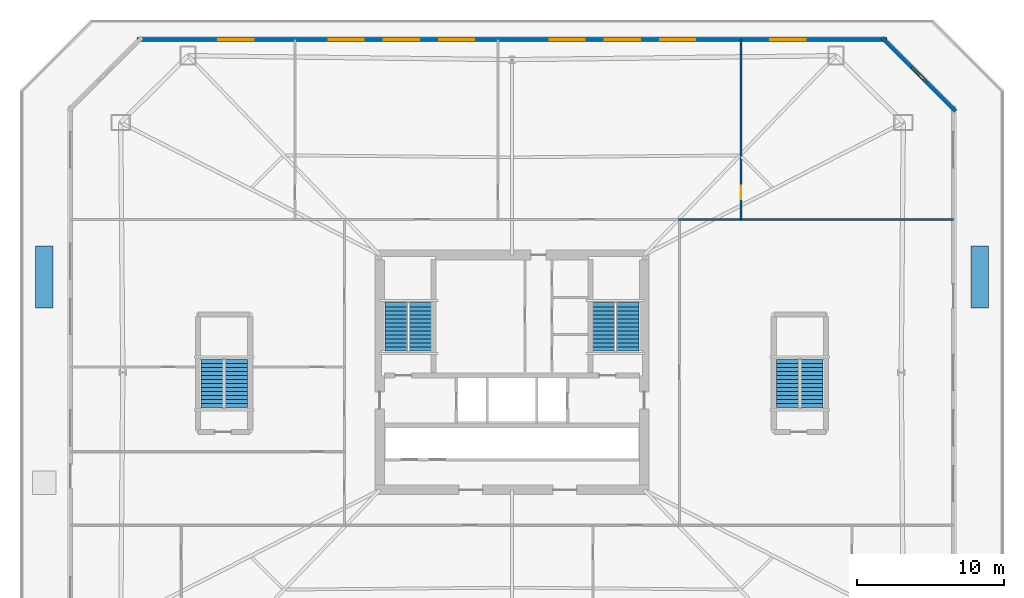
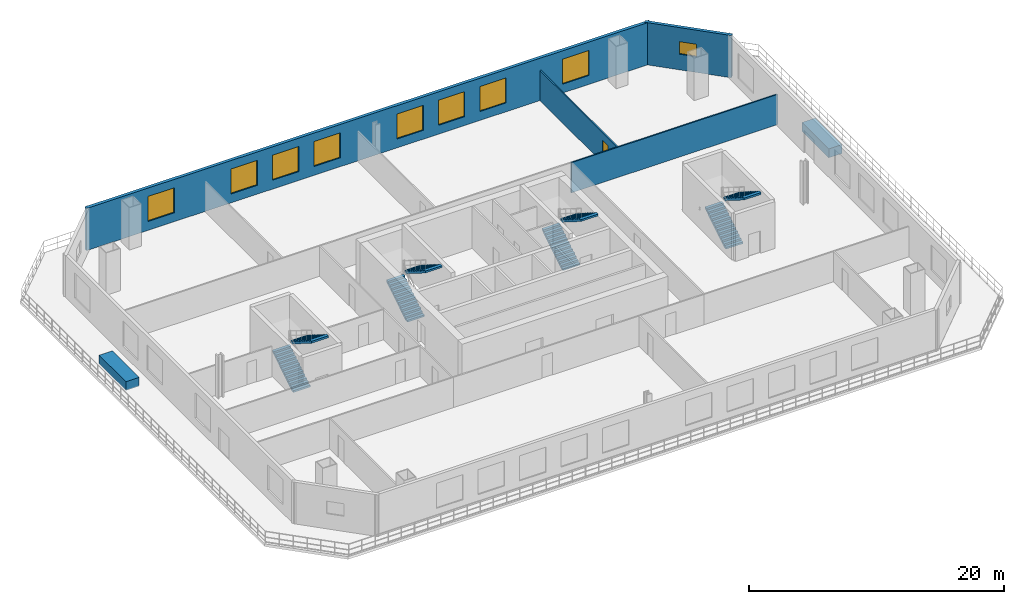
# One storey, part 5 of 8: 9 windows, 8 stair flights, 4 walls, 2 discrete accessories, 1 door, 10 openings, 4 elements without a shape of their own.
"""IFC4 building model written with IfcOpenShell, lengths in metres."""

from ifc_helpers import new_model, si_unit, direction, frame, frame_2d, origin, origin_2d, place, context, subcontext, project, spatial, polyline, rectangle, outline, extrude, material, layer, layer_set, type_object, element, fill, aggregate, save


model = new_model("IFC4")

# Units and contexts
model_context = context("Model", 3, precision=1e-05, world=origin(), true_north=direction((0.0, 1.0)))
body_context = subcontext(model_context, "Body", "Model", "MODEL_VIEW")
ifc_project = project(units=[si_unit("LENGTHUNIT", "METRE"), si_unit("AREAUNIT", "SQUARE_METRE"), si_unit("VOLUMEUNIT", "CUBIC_METRE"), si_unit("PLANEANGLEUNIT", "RADIAN"), si_unit("MASSUNIT", "GRAM", prefix="KILO")], contexts=[model_context])

# Site, building, storey
site_placement = place(None, origin())
site = spatial("IfcSite", under=ifc_project, at=site_placement, CompositionType="ELEMENT")
building_placement = place(site_placement, origin())
building = spatial("IfcBuilding", under=site, at=building_placement, Name="Caelvoria Tower", CompositionType="ELEMENT")
storey_placement = place(building_placement, frame((0.0, 0.0, 18.5)))
storey = spatial("IfcBuildingStorey", under=building, at=storey_placement, Name="L04", CompositionType="ELEMENT", Elevation=18.5)

# Wall, opening, window
ifc_material_1 = material(Name="Precast Concrete C40/50 with Bronze Cladding", Category="concrete")
ifc_layer_1 = layer(ifc_material_1, 0.280029296875, Name="Precast Concrete C40/50 with Bronze Cladding")
ifc_layer_set_1 = layer_set([ifc_layer_1], Name="Exterior Precast Concrete C40/50 Bronze-Clad Facade Wall 280 - Precast Concrete C40/50 with Bronze Cladding")
wall_type_1 = type_object("IfcWallType", Name="Exterior Precast Concrete C40/50 Bronze-Clad Facade Wall 280", PredefinedType="STANDARD", material=ifc_layer_set_1)
wall_1_placement = place(storey_placement, frame((76.199951171875, 49.802001953125, 0.0), z_axis=(0.0, 0.0, 1.0), x_axis=(-0.707106781187, 0.707106781187, 0.0)))
wall_1 = element("IfcWall", 1, at=wall_1_placement, inside=storey, type_object=wall_type_1, Name="Exterior Facade Wall L04-E3", PredefinedType="STANDARD", context=body_context, shape_type="SweptSolid", body=[
    extrude(rectangle(XDim=7.068359375, YDim=0.280029296875, at=frame_2d((3.5341796875, 0.0))), origin(), (0.0, 0.0, 1.0), 4.050048828125),
])
opening_1_placement = place(wall_1_placement, frame((2.833984375, 0.0, 1.5)))
opening_1 = element("IfcOpeningElement", 2, at=opening_1_placement, cuts=wall_1, Name="Opening WN-06", PredefinedType="OPENING", context=body_context, shape_type="SweptSolid", body=[
    extrude(rectangle(XDim=1.39990234375, YDim=1.199951171875, at=frame_2d((0.699951171875, 0.60009765625))), frame((0.0, 0.14990234375, 0.0), z_axis=(0.0, -1.0, 0.0), x_axis=(1.0, 0.0, 0.0)), (0.0, 0.0, 1.0), 0.300048828125),
])
ifc_material_2 = material(Name="Low-E Tinted Glass in Bronze Aluminium Frame", Category="aluminium")
window_type_1 = type_object("IfcWindowType", Name="Podium Clerestory Window 1400x1200", PartitioningType="SINGLE_PANEL", PredefinedType="WINDOW", material=ifc_material_2)
window_1_placement = place(opening_1_placement, origin())
window_1 = element("IfcWindow", 3, at=window_1_placement, inside=storey, type_object=window_type_1, Name="Facade Window L04-E3-00", OverallHeight=1.199951171875, OverallWidth=1.39990234375, PartitioningType="SINGLE_PANEL", PredefinedType="WINDOW", context=body_context, shape_type="SweptSolid", body=[
    extrude(rectangle(XDim=1.39990234375, YDim=1.199951171875, at=frame_2d((0.699951171875, 0.60009765625))), frame((0.0, 0.030029296875, 0.0), z_axis=(0.0, -1.0, 0.0), x_axis=(1.0, 0.0, 0.0)), (0.0, 0.0, 1.0), 0.06005859375),
])
fill(opening_1, window_1)

# Wall, openings, windows
wall_2_placement = place(storey_placement, frame((71.5400390625, 54.659912109375, 0.0), z_axis=(0.0, 0.0, 1.0), x_axis=(-1.0, 0.0, 0.0)))
wall_2 = element("IfcWall", 4, at=wall_2_placement, inside=storey, type_object=wall_type_1, Name="Exterior Facade Wall L04-E4", PredefinedType="STANDARD", context=body_context, shape_type="SweptSolid", body=[
    extrude(rectangle(XDim=51.080078125, YDim=0.280029296875, at=frame_2d((25.5400390625, 0.0))), origin(), (0.0, 0.0, 1.0), 4.050048828125),
])
opening_2_placement = place(wall_2_placement, frame((5.5400390625, 0.0, 0.85009765625)))
opening_2 = element("IfcOpeningElement", 5, at=opening_2_placement, cuts=wall_2, Name="Opening WN-04", PredefinedType="OPENING", context=body_context, shape_type="SweptSolid", body=[
    extrude(rectangle(XDim=2.39990234375, YDim=2.39990234375, at=frame_2d((1.199951171875, 1.199951171875))), frame((0.0, 0.14990234375, 0.0), z_axis=(0.0, -1.0, 0.0), x_axis=(1.0, 0.0, 0.0)), (0.0, 0.0, 1.0), 0.300048828125),
])
opening_3_placement = place(wall_2_placement, frame((13.06005859375, 0.0, 0.85009765625)))
opening_3 = element("IfcOpeningElement", 6, at=opening_3_placement, cuts=wall_2, Name="Opening WN-04", PredefinedType="OPENING", context=body_context, shape_type="SweptSolid", body=[
    extrude(rectangle(XDim=2.39990234375, YDim=2.39990234375, at=frame_2d((1.199951171875, 1.199951171875))), frame((0.0, 0.14990234375, 0.0), z_axis=(0.0, -1.0, 0.0), x_axis=(1.0, 0.0, 0.0)), (0.0, 0.0, 1.0), 0.300048828125),
])
opening_4_placement = place(wall_2_placement, frame((16.820068359375, 0.0, 0.85009765625)))
opening_4 = element("IfcOpeningElement", 7, at=opening_4_placement, cuts=wall_2, Name="Opening WN-04", PredefinedType="OPENING", context=body_context, shape_type="SweptSolid", body=[
    extrude(rectangle(XDim=2.39990234375, YDim=2.39990234375, at=frame_2d((1.199951171875, 1.199951171875))), frame((0.0, 0.14990234375, 0.0), z_axis=(0.0, -1.0, 0.0), x_axis=(1.0, 0.0, 0.0)), (0.0, 0.0, 1.0), 0.300048828125),
])
opening_5_placement = place(wall_2_placement, frame((20.580078125, 0.0, 0.85009765625)))
opening_5 = element("IfcOpeningElement", 8, at=opening_5_placement, cuts=wall_2, Name="Opening WN-04", PredefinedType="OPENING", context=body_context, shape_type="SweptSolid", body=[
    extrude(rectangle(XDim=2.39990234375, YDim=2.39990234375, at=frame_2d((1.199951171875, 1.199951171875))), frame((0.0, 0.14990234375, 0.0), z_axis=(0.0, -1.0, 0.0), x_axis=(1.0, 0.0, 0.0)), (0.0, 0.0, 1.0), 0.300048828125),
])
opening_6_placement = place(wall_2_placement, frame((28.10009765625, 0.0, 0.85009765625)))
opening_6 = element("IfcOpeningElement", 9, at=opening_6_placement, cuts=wall_2, Name="Opening WN-04", PredefinedType="OPENING", context=body_context, shape_type="SweptSolid", body=[
    extrude(rectangle(XDim=2.39990234375, YDim=2.39990234375, at=frame_2d((1.199951171875, 1.199951171875))), frame((0.0, 0.14990234375, 0.0), z_axis=(0.0, -1.0, 0.0), x_axis=(1.0, 0.0, 0.0)), (0.0, 0.0, 1.0), 0.300048828125),
])
opening_7_placement = place(wall_2_placement, frame((31.860107421875, 0.0, 0.85009765625)))
opening_7 = element("IfcOpeningElement", 10, at=opening_7_placement, cuts=wall_2, Name="Opening WN-04", PredefinedType="OPENING", context=body_context, shape_type="SweptSolid", body=[
    extrude(rectangle(XDim=2.39990234375, YDim=2.39990234375, at=frame_2d((1.199951171875, 1.199951171875))), frame((0.0, 0.14990234375, 0.0), z_axis=(0.0, -1.0, 0.0), x_axis=(1.0, 0.0, 0.0)), (0.0, 0.0, 1.0), 0.300048828125),
])
opening_8_placement = place(wall_2_placement, frame((35.6201171875, 0.0, 0.85009765625)))
opening_8 = element("IfcOpeningElement", 11, at=opening_8_placement, cuts=wall_2, Name="Opening WN-04", PredefinedType="OPENING", context=body_context, shape_type="SweptSolid", body=[
    extrude(rectangle(XDim=2.39990234375, YDim=2.39990234375, at=frame_2d((1.199951171875, 1.199951171875))), frame((0.0, 0.14990234375, 0.0), z_axis=(0.0, -1.0, 0.0), x_axis=(1.0, 0.0, 0.0)), (0.0, 0.0, 1.0), 0.300048828125),
])
opening_9_placement = place(wall_2_placement, frame((43.139892578125, 0.0, 0.85009765625)))
opening_9 = element("IfcOpeningElement", 12, at=opening_9_placement, cuts=wall_2, Name="Opening WN-04", PredefinedType="OPENING", context=body_context, shape_type="SweptSolid", body=[
    extrude(rectangle(XDim=2.39990234375, YDim=2.39990234375, at=frame_2d((1.199951171875, 1.199951171875))), frame((0.0, 0.14990234375, 0.0), z_axis=(0.0, -1.0, 0.0), x_axis=(1.0, 0.0, 0.0)), (0.0, 0.0, 1.0), 0.300048828125),
])
window_type_2 = type_object("IfcWindowType", Name="Podium Commercial Ribbon Window 2400x2400", PartitioningType="SINGLE_PANEL", PredefinedType="WINDOW", material=ifc_material_2)
window_2_placement = place(opening_2_placement, origin())
window_2 = element("IfcWindow", 13, at=window_2_placement, inside=storey, type_object=window_type_2, Name="Facade Window L04-E4-01", OverallHeight=2.39990234375, OverallWidth=2.39990234375, PartitioningType="SINGLE_PANEL", PredefinedType="WINDOW", context=body_context, shape_type="SweptSolid", body=[
    extrude(rectangle(XDim=2.39990234375, YDim=2.39990234375, at=frame_2d((1.199951171875, 1.199951171875))), frame((0.0, 0.030029296875, 0.0), z_axis=(0.0, -1.0, 0.0), x_axis=(1.0, 0.0, 0.0)), (0.0, 0.0, 1.0), 0.06005859375),
])
fill(opening_2, window_2)
window_3_placement = place(opening_3_placement, origin())
window_3 = element("IfcWindow", 14, at=window_3_placement, inside=storey, type_object=window_type_2, Name="Facade Window L04-E4-03", OverallHeight=2.39990234375, OverallWidth=2.39990234375, PartitioningType="SINGLE_PANEL", PredefinedType="WINDOW", context=body_context, shape_type="SweptSolid", body=[
    extrude(rectangle(XDim=2.39990234375, YDim=2.39990234375, at=frame_2d((1.199951171875, 1.199951171875))), frame((0.0, 0.030029296875, 0.0), z_axis=(0.0, -1.0, 0.0), x_axis=(1.0, 0.0, 0.0)), (0.0, 0.0, 1.0), 0.06005859375),
])
fill(opening_3, window_3)
window_4_placement = place(opening_4_placement, origin())
window_4 = element("IfcWindow", 15, at=window_4_placement, inside=storey, type_object=window_type_2, Name="Facade Window L04-E4-04", OverallHeight=2.39990234375, OverallWidth=2.39990234375, PartitioningType="SINGLE_PANEL", PredefinedType="WINDOW", context=body_context, shape_type="SweptSolid", body=[
    extrude(rectangle(XDim=2.39990234375, YDim=2.39990234375, at=frame_2d((1.199951171875, 1.199951171875))), frame((0.0, 0.030029296875, 0.0), z_axis=(0.0, -1.0, 0.0), x_axis=(1.0, 0.0, 0.0)), (0.0, 0.0, 1.0), 0.06005859375),
])
fill(opening_4, window_4)
window_5_placement = place(opening_5_placement, origin())
window_5 = element("IfcWindow", 16, at=window_5_placement, inside=storey, type_object=window_type_2, Name="Facade Window L04-E4-05", OverallHeight=2.39990234375, OverallWidth=2.39990234375, PartitioningType="SINGLE_PANEL", PredefinedType="WINDOW", context=body_context, shape_type="SweptSolid", body=[
    extrude(rectangle(XDim=2.39990234375, YDim=2.39990234375, at=frame_2d((1.199951171875, 1.199951171875))), frame((0.0, 0.030029296875, 0.0), z_axis=(0.0, -1.0, 0.0), x_axis=(1.0, 0.0, 0.0)), (0.0, 0.0, 1.0), 0.06005859375),
])
fill(opening_5, window_5)
window_6_placement = place(opening_6_placement, origin())
window_6 = element("IfcWindow", 17, at=window_6_placement, inside=storey, type_object=window_type_2, Name="Facade Window L04-E4-07", OverallHeight=2.39990234375, OverallWidth=2.39990234375, PartitioningType="SINGLE_PANEL", PredefinedType="WINDOW", context=body_context, shape_type="SweptSolid", body=[
    extrude(rectangle(XDim=2.39990234375, YDim=2.39990234375, at=frame_2d((1.199951171875, 1.199951171875))), frame((0.0, 0.030029296875, 0.0), z_axis=(0.0, -1.0, 0.0), x_axis=(1.0, 0.0, 0.0)), (0.0, 0.0, 1.0), 0.06005859375),
])
fill(opening_6, window_6)
window_7_placement = place(opening_7_placement, origin())
window_7 = element("IfcWindow", 18, at=window_7_placement, inside=storey, type_object=window_type_2, Name="Facade Window L04-E4-08", OverallHeight=2.39990234375, OverallWidth=2.39990234375, PartitioningType="SINGLE_PANEL", PredefinedType="WINDOW", context=body_context, shape_type="SweptSolid", body=[
    extrude(rectangle(XDim=2.39990234375, YDim=2.39990234375, at=frame_2d((1.199951171875, 1.199951171875))), frame((0.0, 0.030029296875, 0.0), z_axis=(0.0, -1.0, 0.0), x_axis=(1.0, 0.0, 0.0)), (0.0, 0.0, 1.0), 0.06005859375),
])
fill(opening_7, window_7)
window_8_placement = place(opening_8_placement, origin())
window_8 = element("IfcWindow", 19, at=window_8_placement, inside=storey, type_object=window_type_2, Name="Facade Window L04-E4-09", OverallHeight=2.39990234375, OverallWidth=2.39990234375, PartitioningType="SINGLE_PANEL", PredefinedType="WINDOW", context=body_context, shape_type="SweptSolid", body=[
    extrude(rectangle(XDim=2.39990234375, YDim=2.39990234375, at=frame_2d((1.199951171875, 1.199951171875))), frame((0.0, 0.030029296875, 0.0), z_axis=(0.0, -1.0, 0.0), x_axis=(1.0, 0.0, 0.0)), (0.0, 0.0, 1.0), 0.06005859375),
])
fill(opening_8, window_8)
window_9_placement = place(opening_9_placement, origin())
window_9 = element("IfcWindow", 20, at=window_9_placement, inside=storey, type_object=window_type_2, Name="Facade Window L04-E4-11", OverallHeight=2.39990234375, OverallWidth=2.39990234375, PartitioningType="SINGLE_PANEL", PredefinedType="WINDOW", context=body_context, shape_type="SweptSolid", body=[
    extrude(rectangle(XDim=2.39990234375, YDim=2.39990234375, at=frame_2d((1.199951171875, 1.199951171875))), frame((0.0, 0.030029296875, 0.0), z_axis=(0.0, -1.0, 0.0), x_axis=(1.0, 0.0, 0.0)), (0.0, 0.0, 1.0), 0.06005859375),
])
fill(opening_9, window_9)

# Wall, opening, door
ifc_material_3 = material(Name="Acoustic Gypsum Board on Light-Gauge Stud", Category="gypsum")
ifc_layer_2 = layer(ifc_material_3, 0.1201171875, Name="Acoustic Gypsum Board on Light-Gauge Stud")
ifc_layer_set_2 = layer_set([ifc_layer_2], Name="Tenant Suite Acoustic Partition Wall 120 - Acoustic Gypsum Board on Light-Gauge Stud")
wall_type_2 = type_object("IfcWallType", Name="Tenant Suite Acoustic Partition Wall 120", PredefinedType="PARTITIONING", material=ifc_layer_set_2)
wall_3_placement = place(storey_placement, frame((61.587890625, 42.409912109375, 0.0), z_axis=(0.0, 0.0, 1.0), x_axis=(0.0, 1.0, 0.0)))
wall_3 = element("IfcWall", 21, at=wall_3_placement, inside=storey, type_object=wall_type_2, Name="Interior Partition IW-L04-ND-02-0", PredefinedType="PARTITIONING", context=body_context, shape_type="SweptSolid", body=[
    extrude(rectangle(XDim=12.25, YDim=0.1201171875, at=frame_2d((6.125, 0.0))), origin(), (0.0, 0.0, 1.0), 2.889892578125),
])
opening_10_placement = place(wall_3_placement, frame((1.39990234375, 0.0, 0.0)))
opening_10 = element("IfcOpeningElement", 22, at=opening_10_placement, cuts=wall_3, Name="Opening ID-06", PredefinedType="OPENING", context=body_context, shape_type="SweptSolid", body=[
    extrude(rectangle(XDim=0.89990234375, YDim=2.14990234375, at=frame_2d((0.449951171875, 1.074951171875))), frame((0.0, 0.070068359375, 0.0), z_axis=(0.0, -1.0, 0.0), x_axis=(1.0, 0.0, 0.0)), (0.0, 0.0, 1.0), 0.14013671875),
])
ifc_material_4 = material(Name="Engineered Andean Oak Veneer Door", Category="wood")
door_type = type_object("IfcDoorType", Name="Interior Timber Door 900x2150", OperationType="NOTDEFINED", PredefinedType="DOOR", material=ifc_material_4)
door_placement = place(opening_10_placement, origin())
door = element("IfcDoor", 23, at=door_placement, inside=storey, type_object=door_type, Name="Interior Door DR-L04-NM-02-0", OperationType="SINGLE_SWING_RIGHT", OverallHeight=2.14990234375, OverallWidth=0.89990234375, PredefinedType="DOOR", context=body_context, shape_type="SweptSolid", body=[
    extrude(rectangle(XDim=0.89990234375, YDim=2.14990234375, at=frame_2d((0.449951171875, 1.074951171875))), frame((0.0, 0.02490234375, 0.0), z_axis=(0.0, -1.0, 0.0), x_axis=(1.0, 0.0, 0.0)), (0.0, 0.0, 1.0), 0.050048828125),
])
fill(opening_10, door)

# Wall
wall_4_placement = place(storey_placement, frame((57.35009765625, 42.409912109375, 0.0), z_axis=(0.0, 0.0, 1.0), x_axis=(1.0, 0.0, 0.0)))
element("IfcWall", 24, at=wall_4_placement, inside=storey, type_object=wall_type_2, Name="Interior Partition IW-L04-BNE-0", PredefinedType="PARTITIONING", context=body_context, shape_type="SweptSolid", body=[
    extrude(rectangle(XDim=18.7099609375, YDim=0.1201171875, at=frame_2d((9.35498046875, 0.0))), origin(), (0.0, 0.0, 1.0), 2.889892578125),
])

# Stair, stair flights
ifc_material_5 = material(Name="Concrete C40/50", Category="concrete")
stair_type = type_object("IfcStairType", Name="Core Smokeproof Dogleg Stair Concrete C40/50", PredefinedType="HALF_TURN_STAIR", material=ifc_material_5)
stair_1_placement = place(storey_placement, origin())
stair_1 = element("IfcStair", 25, at=stair_1_placement, inside=storey, type_object=stair_type, Name="ST-01 Smokeproof Exit Stair L04", PredefinedType="HALF_TURN_STAIR")
ifc_material_6 = material(Name="Precast Concrete C40/50", Category="concrete")
stair_flight_type = type_object("IfcStairFlightType", Name="Precast Concrete C40/50 Stair Flight 1480", PredefinedType="STRAIGHT", material=ifc_material_6)
stair_flight_1_placement = place(storey_placement, frame((38.1298828125, 33.449951171875, 0.0), z_axis=(0.0, 0.0, 1.0), x_axis=(0.0, 1.0, 0.0)))
stair_flight_1 = element("IfcStairFlight", 26, at=stair_flight_1_placement, type_object=stair_flight_type, Name="ST-01 flight 1", NumberOfRisers=13, NumberOfTreads=12, PredefinedType="STRAIGHT", RiserHeight=0.1731, TreadLength=0.275, context=body_context, shape_type="SweptSolid", body=[
    extrude(outline(polyline([(0.0, 0.0), (0.0, 0.173095703125), (0.27490234375, 0.173095703125), (0.27490234375, 0.34619140625), (0.550048828125, 0.34619140625), (0.550048828125, 0.519287109375), (0.824951171875, 0.519287109375), (0.824951171875, 0.6923828125), (1.10009765625, 0.6923828125), (1.10009765625, 0.865478515625), (1.375, 0.865478515625), (1.375, 1.03857421875), (1.64990234375, 1.03857421875), (1.64990234375, 1.211669921875), (1.925048828125, 1.211669921875), (1.925048828125, 1.384765625), (2.199951171875, 1.384765625), (2.199951171875, 1.557861328125), (2.47509765625, 1.557861328125), (2.47509765625, 1.73095703125), (2.75, 1.73095703125), (2.75, 1.904052734375), (3.02490234375, 1.904052734375), (3.02490234375, 2.0771484375), (3.300048828125, 2.0771484375), (3.300048828125, 2.250244140625), (3.300048828125, 1.88818359375), (0.30029296875, 0.0), (0.0, 0.0)])), frame((0.0, 0.77001953125, 0.0), z_axis=(0.0, -1.0, 0.0), x_axis=(1.0, 0.0, 0.0)), (0.0, 0.0, 1.0), 1.5400390625),
])
stair_flight_2_placement = place(storey_placement, frame((39.77001953125, 36.75, 2.25), z_axis=(0.0, 0.0, 1.0), x_axis=(0.0, -1.0, 0.0)))
stair_flight_2 = element("IfcStairFlight", 27, at=stair_flight_2_placement, type_object=stair_flight_type, Name="ST-01 flight 2", NumberOfRisers=13, NumberOfTreads=12, PredefinedType="STRAIGHT", RiserHeight=0.1731, TreadLength=0.275, context=body_context, shape_type="SweptSolid", body=[
    extrude(outline(polyline([(0.0, 0.0), (0.0, 0.173095703125), (0.27490234375, 0.173095703125), (0.27490234375, 0.34619140625), (0.550048828125, 0.34619140625), (0.550048828125, 0.519287109375), (0.824951171875, 0.519287109375), (0.824951171875, 0.6923828125), (1.10009765625, 0.6923828125), (1.10009765625, 0.865478515625), (1.375, 0.865478515625), (1.375, 1.03857421875), (1.64990234375, 1.03857421875), (1.64990234375, 1.211669921875), (1.925048828125, 1.211669921875), (1.925048828125, 1.384765625), (2.199951171875, 1.384765625), (2.199951171875, 1.557861328125), (2.47509765625, 1.557861328125), (2.47509765625, 1.73095703125), (2.75, 1.73095703125), (2.75, 1.904052734375), (3.02490234375, 1.904052734375), (3.02490234375, 2.0771484375), (3.300048828125, 2.0771484375), (3.300048828125, 2.250244140625), (3.300048828125, 1.88818359375), (0.30029296875, 0.0), (0.0, 0.0)])), frame((0.0, 0.77001953125, 0.0), z_axis=(0.0, -1.0, 0.0), x_axis=(1.0, 0.0, 0.0)), (0.0, 0.0, 1.0), 1.5400390625),
])
aggregate(stair_1, [stair_flight_1, stair_flight_2])

stair_2_placement = place(storey_placement, origin())
stair_2 = element("IfcStair", 28, at=stair_2_placement, inside=storey, type_object=stair_type, Name="ST-02 Smokeproof Exit Stair L04", PredefinedType="HALF_TURN_STAIR")
stair_flight_3_placement = place(storey_placement, frame((52.22998046875, 33.449951171875, 0.0), z_axis=(0.0, 0.0, 1.0), x_axis=(0.0, 1.0, 0.0)))
stair_flight_3 = element("IfcStairFlight", 29, at=stair_flight_3_placement, type_object=stair_flight_type, Name="ST-02 flight 1", NumberOfRisers=13, NumberOfTreads=12, PredefinedType="STRAIGHT", RiserHeight=0.1731, TreadLength=0.275, context=body_context, shape_type="SweptSolid", body=[
    extrude(outline(polyline([(0.0, 0.0), (0.0, 0.173095703125), (0.27490234375, 0.173095703125), (0.27490234375, 0.34619140625), (0.550048828125, 0.34619140625), (0.550048828125, 0.519287109375), (0.824951171875, 0.519287109375), (0.824951171875, 0.6923828125), (1.10009765625, 0.6923828125), (1.10009765625, 0.865478515625), (1.375, 0.865478515625), (1.375, 1.03857421875), (1.64990234375, 1.03857421875), (1.64990234375, 1.211669921875), (1.925048828125, 1.211669921875), (1.925048828125, 1.384765625), (2.199951171875, 1.384765625), (2.199951171875, 1.557861328125), (2.47509765625, 1.557861328125), (2.47509765625, 1.73095703125), (2.75, 1.73095703125), (2.75, 1.904052734375), (3.02490234375, 1.904052734375), (3.02490234375, 2.0771484375), (3.300048828125, 2.0771484375), (3.300048828125, 2.250244140625), (3.300048828125, 1.88818359375), (0.30029296875, 0.0), (0.0, 0.0)])), frame((0.0, 0.77001953125, 0.0), z_axis=(0.0, -1.0, 0.0), x_axis=(1.0, 0.0, 0.0)), (0.0, 0.0, 1.0), 1.5400390625),
])
stair_flight_4_placement = place(storey_placement, frame((53.8701171875, 36.75, 2.25), z_axis=(0.0, 0.0, 1.0), x_axis=(0.0, -1.0, 0.0)))
stair_flight_4 = element("IfcStairFlight", 30, at=stair_flight_4_placement, type_object=stair_flight_type, Name="ST-02 flight 2", NumberOfRisers=13, NumberOfTreads=12, PredefinedType="STRAIGHT", RiserHeight=0.1731, TreadLength=0.275, context=body_context, shape_type="SweptSolid", body=[
    extrude(outline(polyline([(0.0, 0.0), (0.0, 0.173095703125), (0.27490234375, 0.173095703125), (0.27490234375, 0.34619140625), (0.550048828125, 0.34619140625), (0.550048828125, 0.519287109375), (0.824951171875, 0.519287109375), (0.824951171875, 0.6923828125), (1.10009765625, 0.6923828125), (1.10009765625, 0.865478515625), (1.375, 0.865478515625), (1.375, 1.03857421875), (1.64990234375, 1.03857421875), (1.64990234375, 1.211669921875), (1.925048828125, 1.211669921875), (1.925048828125, 1.384765625), (2.199951171875, 1.384765625), (2.199951171875, 1.557861328125), (2.47509765625, 1.557861328125), (2.47509765625, 1.73095703125), (2.75, 1.73095703125), (2.75, 1.904052734375), (3.02490234375, 1.904052734375), (3.02490234375, 2.0771484375), (3.300048828125, 2.0771484375), (3.300048828125, 2.250244140625), (3.300048828125, 1.88818359375), (0.30029296875, 0.0), (0.0, 0.0)])), frame((0.0, 0.77001953125, 0.0), z_axis=(0.0, -1.0, 0.0), x_axis=(1.0, 0.0, 0.0)), (0.0, 0.0, 1.0), 1.5400390625),
])
aggregate(stair_2, [stair_flight_3, stair_flight_4])

stair_3_placement = place(storey_placement, origin())
stair_3 = element("IfcStair", 31, at=stair_3_placement, inside=storey, type_object=stair_type, Name="ST-03 Smokeproof Exit Stair L04", PredefinedType="HALF_TURN_STAIR")
stair_flight_5_placement = place(storey_placement, frame((25.580078125, 29.60009765625, 0.0), z_axis=(0.0, 0.0, 1.0), x_axis=(0.0, 1.0, 0.0)))
stair_flight_5 = element("IfcStairFlight", 32, at=stair_flight_5_placement, type_object=stair_flight_type, Name="ST-03 flight 1", NumberOfRisers=13, NumberOfTreads=12, PredefinedType="STRAIGHT", RiserHeight=0.1731, TreadLength=0.275, context=body_context, shape_type="SweptSolid", body=[
    extrude(outline(polyline([(0.0, 0.0), (0.0, 0.173095703125), (0.27490234375, 0.173095703125), (0.27490234375, 0.34619140625), (0.550048828125, 0.34619140625), (0.550048828125, 0.519287109375), (0.824951171875, 0.519287109375), (0.824951171875, 0.6923828125), (1.10009765625, 0.6923828125), (1.10009765625, 0.865478515625), (1.375, 0.865478515625), (1.375, 1.03857421875), (1.64990234375, 1.03857421875), (1.64990234375, 1.211669921875), (1.925048828125, 1.211669921875), (1.925048828125, 1.384765625), (2.199951171875, 1.384765625), (2.199951171875, 1.557861328125), (2.47509765625, 1.557861328125), (2.47509765625, 1.73095703125), (2.75, 1.73095703125), (2.75, 1.904052734375), (3.02490234375, 1.904052734375), (3.02490234375, 2.0771484375), (3.300048828125, 2.0771484375), (3.300048828125, 2.250244140625), (3.300048828125, 1.88818359375), (0.30029296875, 0.0), (0.0, 0.0)])), frame((0.0, 0.77001953125, 0.0), z_axis=(0.0, -1.0, 0.0), x_axis=(1.0, 0.0, 0.0)), (0.0, 0.0, 1.0), 1.5400390625),
])
stair_flight_6_placement = place(storey_placement, frame((27.219970703125, 32.89990234375, 2.25), z_axis=(0.0, 0.0, 1.0), x_axis=(0.0, -1.0, 0.0)))
stair_flight_6 = element("IfcStairFlight", 33, at=stair_flight_6_placement, type_object=stair_flight_type, Name="ST-03 flight 2", NumberOfRisers=13, NumberOfTreads=12, PredefinedType="STRAIGHT", RiserHeight=0.1731, TreadLength=0.275, context=body_context, shape_type="SweptSolid", body=[
    extrude(outline(polyline([(0.0, 0.0), (0.0, 0.173095703125), (0.27490234375, 0.173095703125), (0.27490234375, 0.34619140625), (0.550048828125, 0.34619140625), (0.550048828125, 0.519287109375), (0.824951171875, 0.519287109375), (0.824951171875, 0.6923828125), (1.10009765625, 0.6923828125), (1.10009765625, 0.865478515625), (1.375, 0.865478515625), (1.375, 1.03857421875), (1.64990234375, 1.03857421875), (1.64990234375, 1.211669921875), (1.925048828125, 1.211669921875), (1.925048828125, 1.384765625), (2.199951171875, 1.384765625), (2.199951171875, 1.557861328125), (2.47509765625, 1.557861328125), (2.47509765625, 1.73095703125), (2.75, 1.73095703125), (2.75, 1.904052734375), (3.02490234375, 1.904052734375), (3.02490234375, 2.0771484375), (3.300048828125, 2.0771484375), (3.300048828125, 2.250244140625), (3.300048828125, 1.88818359375), (0.30029296875, 0.0), (0.0, 0.0)])), frame((0.0, 0.77001953125, 0.0), z_axis=(0.0, -1.0, 0.0), x_axis=(1.0, 0.0, 0.0)), (0.0, 0.0, 1.0), 1.5400390625),
])
aggregate(stair_3, [stair_flight_5, stair_flight_6])

stair_4_placement = place(storey_placement, origin())
stair_4 = element("IfcStair", 34, at=stair_4_placement, inside=storey, type_object=stair_type, Name="ST-04 Smokeproof Exit Stair L04", PredefinedType="HALF_TURN_STAIR")
stair_flight_7_placement = place(storey_placement, frame((64.780029296875, 29.60009765625, 0.0), z_axis=(0.0, 0.0, 1.0), x_axis=(0.0, 1.0, 0.0)))
stair_flight_7 = element("IfcStairFlight", 35, at=stair_flight_7_placement, type_object=stair_flight_type, Name="ST-04 flight 1", NumberOfRisers=13, NumberOfTreads=12, PredefinedType="STRAIGHT", RiserHeight=0.1731, TreadLength=0.275, context=body_context, shape_type="SweptSolid", body=[
    extrude(outline(polyline([(0.0, 0.0), (0.0, 0.173095703125), (0.27490234375, 0.173095703125), (0.27490234375, 0.34619140625), (0.550048828125, 0.34619140625), (0.550048828125, 0.519287109375), (0.824951171875, 0.519287109375), (0.824951171875, 0.6923828125), (1.10009765625, 0.6923828125), (1.10009765625, 0.865478515625), (1.375, 0.865478515625), (1.375, 1.03857421875), (1.64990234375, 1.03857421875), (1.64990234375, 1.211669921875), (1.925048828125, 1.211669921875), (1.925048828125, 1.384765625), (2.199951171875, 1.384765625), (2.199951171875, 1.557861328125), (2.47509765625, 1.557861328125), (2.47509765625, 1.73095703125), (2.75, 1.73095703125), (2.75, 1.904052734375), (3.02490234375, 1.904052734375), (3.02490234375, 2.0771484375), (3.300048828125, 2.0771484375), (3.300048828125, 2.250244140625), (3.300048828125, 1.88818359375), (0.30029296875, 0.0), (0.0, 0.0)])), frame((0.0, 0.77001953125, 0.0), z_axis=(0.0, -1.0, 0.0), x_axis=(1.0, 0.0, 0.0)), (0.0, 0.0, 1.0), 1.5400390625),
])
stair_flight_8_placement = place(storey_placement, frame((66.419921875, 32.89990234375, 2.25), z_axis=(0.0, 0.0, 1.0), x_axis=(0.0, -1.0, 0.0)))
stair_flight_8 = element("IfcStairFlight", 36, at=stair_flight_8_placement, type_object=stair_flight_type, Name="ST-04 flight 2", NumberOfRisers=13, NumberOfTreads=12, PredefinedType="STRAIGHT", RiserHeight=0.1731, TreadLength=0.275, context=body_context, shape_type="SweptSolid", body=[
    extrude(outline(polyline([(0.0, 0.0), (0.0, 0.173095703125), (0.27490234375, 0.173095703125), (0.27490234375, 0.34619140625), (0.550048828125, 0.34619140625), (0.550048828125, 0.519287109375), (0.824951171875, 0.519287109375), (0.824951171875, 0.6923828125), (1.10009765625, 0.6923828125), (1.10009765625, 0.865478515625), (1.375, 0.865478515625), (1.375, 1.03857421875), (1.64990234375, 1.03857421875), (1.64990234375, 1.211669921875), (1.925048828125, 1.211669921875), (1.925048828125, 1.384765625), (2.199951171875, 1.384765625), (2.199951171875, 1.557861328125), (2.47509765625, 1.557861328125), (2.47509765625, 1.73095703125), (2.75, 1.73095703125), (2.75, 1.904052734375), (3.02490234375, 1.904052734375), (3.02490234375, 2.0771484375), (3.300048828125, 2.0771484375), (3.300048828125, 2.250244140625), (3.300048828125, 1.88818359375), (0.30029296875, 0.0), (0.0, 0.0)])), frame((0.0, 0.77001953125, 0.0), z_axis=(0.0, -1.0, 0.0), x_axis=(1.0, 0.0, 0.0)), (0.0, 0.0, 1.0), 1.5400390625),
])
aggregate(stair_4, [stair_flight_7, stair_flight_8])

# Discrete accessories
ifc_material_7 = material(Name="Bronze-Clad Concrete C40/50 Planter Vessel", Category="concrete")
discrete_accessory_type = type_object("IfcDiscreteAccessoryType", Name="Podium Terrace Garden Planter Bed PLANTER", PredefinedType="USERDEFINED", material=ifc_material_7)
for number, where, z_axis, x_axis, name in (
    (37, (14.14990234375, 38.5, 0.0), (0.0, 0.0, 1.0), (1.0, 0.0, 0.0), "Terrace Planted Bed L04-W"),
    (38, (77.85009765625, 38.5, 0.0), (0.0, 0.0, 1.0), (1.0, 0.0, 0.0), "Terrace Planted Bed L04-E"),
):
    element("IfcDiscreteAccessory", number, at=place(storey_placement, frame(where, z_axis=z_axis, x_axis=x_axis)), inside=storey, type_object=discrete_accessory_type, Name=name, ObjectType="PLANTER", PredefinedType="USERDEFINED", context=body_context, shape_type="SweptSolid", body=[
        extrude(rectangle(XDim=1.199951171875, YDim=4.199951171875, at=origin_2d()), origin(), (0.0, 0.0, 1.0), 0.85009765625),
    ])

save(model, "model.ifc")
